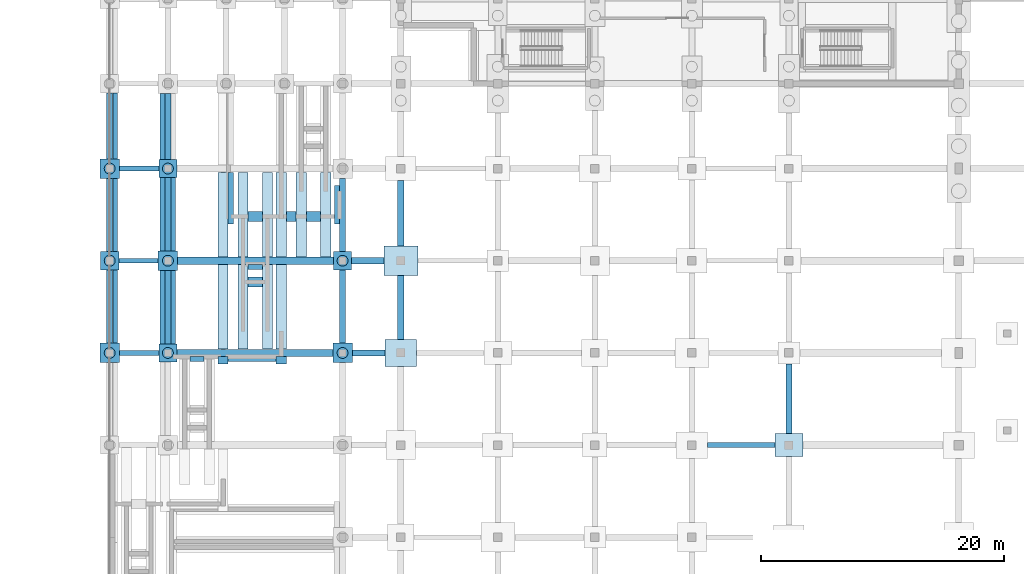
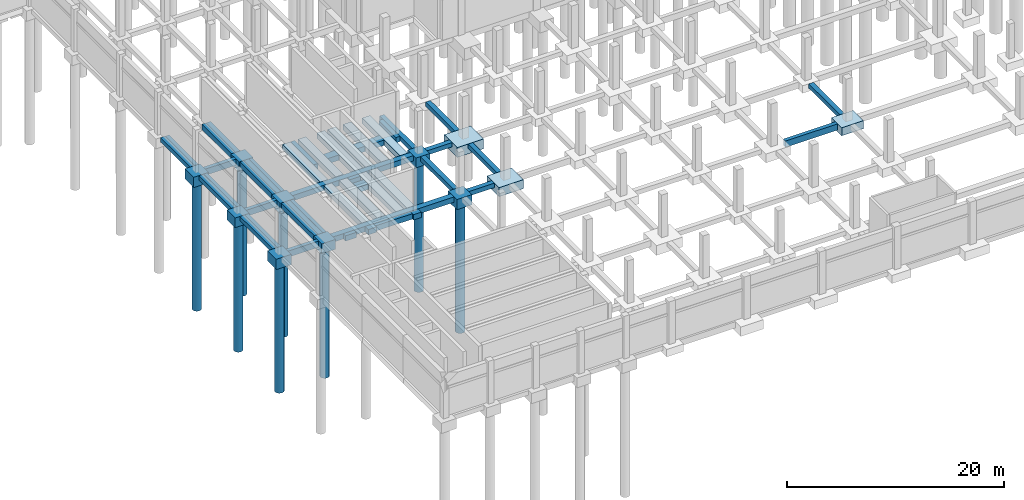
# One storey, part 3 of 50: 59 footings, 8 piles.
"""IFC4 building model written with IfcOpenShell, lengths in metres."""

from ifc_helpers import new_model, si_unit, direction, frame, origin, origin_2d, place, context, subcontext, project, spatial, polyline, rectangle, circle, outline, extrude, material, material_profile, profile_set, type_object, element, save


model = new_model("IFC4")

# Units and contexts
model_context = context("Model", 3, precision=1e-05, world=origin(), true_north=direction((0.0, 1.0)))
body_context = subcontext(model_context, "Body", "Model", "MODEL_VIEW")
ifc_project = project(units=[si_unit("LENGTHUNIT", "METRE"), si_unit("AREAUNIT", "SQUARE_METRE"), si_unit("VOLUMEUNIT", "CUBIC_METRE"), si_unit("PLANEANGLEUNIT", "RADIAN"), si_unit("MASSUNIT", "GRAM", prefix="KILO")], contexts=[model_context])

# Site, building, storey
site_placement = place(None, origin())
site = spatial("IfcSite", under=ifc_project, at=site_placement, CompositionType="ELEMENT")
building_placement = place(site_placement, origin())
building = spatial("IfcBuilding", under=site, at=building_placement, Name="Vekula Escarpment Museum", CompositionType="ELEMENT")
storey_placement = place(building_placement, frame((0.0, 0.0, -4.800048828125)))
storey = spatial("IfcBuildingStorey", under=building, at=storey_placement, Name="B1", CompositionType="ELEMENT", Elevation=-4.800048828125)

# Footings
ifc_material_1 = material(Name="Concrete C35/45", Category="concrete")
footing_type_1 = type_object("IfcFootingType", Name="FB-STRIP-600", PredefinedType="STRIP_FOOTING", material=ifc_material_1)
footing_1_placement = place(storey_placement, frame((0.0, 0.0, -0.599853515625)))
element("IfcFooting", 1, at=footing_1_placement, inside=storey, type_object=footing_type_1, Name="Plinth Wall Strip Footing 0133", PredefinedType="STRIP_FOOTING", context=body_context, shape_type="SweptSolid", body=[
    extrude(outline(polyline([(0.64501953125, 46.404052734375), (0.25390625, 46.404052734375), (0.25390625, 51.845947265625), (0.64501953125, 51.845947265625), (0.64501953125, 46.404052734375)])), origin(), (0.0, 0.0, 1.0), 0.599853515625),
])
footing_2_placement = place(storey_placement, frame((0.0, 0.0, -0.599853515625)))
element("IfcFooting", 2, at=footing_2_placement, inside=storey, type_object=footing_type_1, Name="Plinth Wall Strip Footing 0134", PredefinedType="STRIP_FOOTING", context=body_context, shape_type="SweptSolid", body=[
    extrude(outline(polyline([(0.64501953125, 38.75390625), (0.25390625, 38.75390625), (0.25390625, 44.7958984375), (0.64501953125, 44.7958984375), (0.64501953125, 38.75390625)])), origin(), (0.0, 0.0, 1.0), 0.599853515625),
])
footing_3_placement = place(storey_placement, frame((0.0, 0.0, -0.599853515625)))
element("IfcFooting", 3, at=footing_3_placement, inside=storey, type_object=footing_type_1, Name="Plinth Wall Strip Footing 0135", PredefinedType="STRIP_FOOTING", context=body_context, shape_type="SweptSolid", body=[
    extrude(outline(polyline([(0.64501953125, 31.2041015625), (0.25390625, 31.2041015625), (0.25390625, 37.24609375), (0.64501953125, 37.24609375), (0.64501953125, 31.2041015625)])), origin(), (0.0, 0.0, 1.0), 0.599853515625),
])
footing_4_placement = place(storey_placement, frame((0.0, 0.0, -0.599853515625)))
element("IfcFooting", 4, at=footing_4_placement, inside=storey, type_object=footing_type_1, Name="Plinth Wall Strip Footing 0158", PredefinedType="STRIP_FOOTING", context=body_context, shape_type="SweptSolid", body=[
    extrude(outline(polyline([(11.409912109375, 30.7041015625), (10.570068359375, 30.7041015625), (10.570068359375, 37.696044921875), (11.409912109375, 37.696044921875), (11.409912109375, 30.7041015625)])), origin(), (0.0, 0.0, 1.0), 0.599853515625),
])
footing_5_placement = place(storey_placement, frame((0.0, 0.0, -0.599853515625)))
element("IfcFooting", 5, at=footing_5_placement, inside=storey, type_object=footing_type_1, Name="Plinth Wall Strip Footing 0158", PredefinedType="STRIP_FOOTING", context=body_context, shape_type="SweptSolid", body=[
    extrude(outline(polyline([(11.409912109375, 38.303955078125), (10.570068359375, 38.303955078125), (10.570068359375, 45.2958984375), (11.409912109375, 45.2958984375), (11.409912109375, 38.303955078125)])), origin(), (0.0, 0.0, 1.0), 0.599853515625),
])
footing_6_placement = place(storey_placement, frame((0.0, 0.0, -0.599853515625)))
element("IfcFooting", 6, at=footing_6_placement, inside=storey, type_object=footing_type_1, Name="Plinth Wall Strip Footing 0159", PredefinedType="STRIP_FOOTING", context=body_context, shape_type="SweptSolid", body=[
    extrude(outline(polyline([(13.429931640625, 30.7041015625), (12.590087890625, 30.7041015625), (12.590087890625, 37.696044921875), (13.429931640625, 37.696044921875), (13.429931640625, 30.7041015625)])), origin(), (0.0, 0.0, 1.0), 0.599853515625),
])
footing_7_placement = place(storey_placement, frame((0.0, 0.0, -0.599853515625)))
element("IfcFooting", 7, at=footing_7_placement, inside=storey, type_object=footing_type_1, Name="Plinth Wall Strip Footing 0159", PredefinedType="STRIP_FOOTING", context=body_context, shape_type="SweptSolid", body=[
    extrude(outline(polyline([(13.429931640625, 38.303955078125), (12.590087890625, 38.303955078125), (12.590087890625, 45.2958984375), (13.429931640625, 45.2958984375), (13.429931640625, 38.303955078125)])), origin(), (0.0, 0.0, 1.0), 0.599853515625),
])
footing_8_placement = place(storey_placement, frame((0.0, 0.0, -0.599853515625)))
element("IfcFooting", 8, at=footing_8_placement, inside=storey, type_object=footing_type_1, Name="Plinth Wall Strip Footing 0160", PredefinedType="STRIP_FOOTING", context=body_context, shape_type="SweptSolid", body=[
    extrude(outline(polyline([(11.4140625, 35.830078125), (11.4140625, 36.669921875), (12.5859375, 36.669921875), (12.5859375, 35.830078125), (11.4140625, 35.830078125)])), origin(), (0.0, 0.0, 1.0), 0.599853515625),
])
footing_9_placement = place(storey_placement, frame((0.0, 0.0, -0.599853515625)))
element("IfcFooting", 9, at=footing_9_placement, inside=storey, type_object=footing_type_1, Name="Plinth Wall Strip Footing 0161", PredefinedType="STRIP_FOOTING", context=body_context, shape_type="SweptSolid", body=[
    extrude(outline(polyline([(11.4140625, 37.280029296875), (11.4140625, 37.696044921875), (12.5859375, 37.696044921875), (12.5859375, 37.280029296875), (11.4140625, 37.280029296875)])), origin(), (0.0, 0.0, 1.0), 0.599853515625),
])
footing_10_placement = place(storey_placement, frame((0.0, 0.0, -0.599853515625)))
element("IfcFooting", 10, at=footing_10_placement, inside=storey, type_object=footing_type_1, Name="Plinth Wall Strip Footing 0162", PredefinedType="STRIP_FOOTING", context=body_context, shape_type="SweptSolid", body=[
    extrude(outline(polyline([(16.2099609375, 38.303955078125), (15.3701171875, 38.303955078125), (15.3701171875, 45.2958984375), (16.2099609375, 45.2958984375), (16.2099609375, 38.303955078125)])), origin(), (0.0, 0.0, 1.0), 0.599853515625),
])
footing_11_placement = place(storey_placement, frame((0.0, 0.0, -0.599853515625)))
element("IfcFooting", 11, at=footing_11_placement, inside=storey, type_object=footing_type_1, Name="Plinth Wall Strip Footing 0163", PredefinedType="STRIP_FOOTING", context=body_context, shape_type="SweptSolid", body=[
    extrude(outline(polyline([(18.22998046875, 38.303955078125), (17.389892578125, 38.303955078125), (17.389892578125, 45.2958984375), (18.22998046875, 45.2958984375), (18.22998046875, 38.303955078125)])), origin(), (0.0, 0.0, 1.0), 0.599853515625),
])
footing_12_placement = place(storey_placement, frame((0.0, 0.0, -0.599853515625)))
element("IfcFooting", 12, at=footing_12_placement, inside=storey, type_object=footing_type_1, Name="Plinth Wall Strip Footing 0166", PredefinedType="STRIP_FOOTING", context=body_context, shape_type="SweptSolid", body=[
    extrude(outline(polyline([(4.1298828125, 51.7958984375), (4.5458984375, 51.7958984375), (4.5458984375, 46.35400390625), (4.1298828125, 46.35400390625), (4.1298828125, 51.7958984375)])), origin(), (0.0, 0.0, 1.0), 0.599853515625),
])
footing_13_placement = place(storey_placement, frame((0.0, 0.0, -0.599853515625)))
element("IfcFooting", 13, at=footing_13_placement, inside=storey, type_object=footing_type_1, Name="Plinth Wall Strip Footing 0166", PredefinedType="STRIP_FOOTING", context=body_context, shape_type="SweptSolid", body=[
    extrude(outline(polyline([(4.1298828125, 44.845947265625), (4.5458984375, 44.845947265625), (4.5458984375, 38.803955078125), (4.1298828125, 38.803955078125), (4.1298828125, 44.845947265625)])), origin(), (0.0, 0.0, 1.0), 0.599853515625),
])
footing_14_placement = place(storey_placement, frame((0.0, 0.0, -0.599853515625)))
element("IfcFooting", 14, at=footing_14_placement, inside=storey, type_object=footing_type_1, Name="Plinth Wall Strip Footing 0166", PredefinedType="STRIP_FOOTING", context=body_context, shape_type="SweptSolid", body=[
    extrude(outline(polyline([(4.1298828125, 37.196044921875), (4.5458984375, 37.196044921875), (4.5458984375, 31.154052734375), (4.1298828125, 31.154052734375), (4.1298828125, 37.196044921875)])), origin(), (0.0, 0.0, 1.0), 0.599853515625),
])
footing_15_placement = place(storey_placement, frame((0.0, 0.0, -0.599853515625)))
element("IfcFooting", 15, at=footing_15_placement, inside=storey, type_object=footing_type_1, Name="Plinth Wall Strip Footing 0172", PredefinedType="STRIP_FOOTING", context=body_context, shape_type="SweptSolid", body=[
    extrude(outline(polyline([(5.419921875, 31.154052734375), (5.053955078125, 31.154052734375), (5.053955078125, 37.196044921875), (5.419921875, 37.196044921875), (5.419921875, 31.154052734375)])), origin(), (0.0, 0.0, 1.0), 0.599853515625),
])
footing_16_placement = place(storey_placement, frame((0.0, 0.0, -0.599853515625)))
element("IfcFooting", 16, at=footing_16_placement, inside=storey, type_object=footing_type_1, Name="Plinth Wall Strip Footing 0172", PredefinedType="STRIP_FOOTING", context=body_context, shape_type="SweptSolid", body=[
    extrude(outline(polyline([(5.419921875, 38.803955078125), (5.053955078125, 38.803955078125), (5.053955078125, 44.845947265625), (5.419921875, 44.845947265625), (5.419921875, 38.803955078125)])), origin(), (0.0, 0.0, 1.0), 0.599853515625),
])
footing_17_placement = place(storey_placement, frame((0.0, 0.0, -0.599853515625)))
element("IfcFooting", 17, at=footing_17_placement, inside=storey, type_object=footing_type_1, Name="Plinth Wall Strip Footing 0173", PredefinedType="STRIP_FOOTING", context=body_context, shape_type="SweptSolid", body=[
    extrude(outline(polyline([(9.77001953125, 29.489990234375), (8.929931640625, 29.489990234375), (8.929931640625, 30.095947265625), (9.77001953125, 30.095947265625), (9.77001953125, 29.489990234375)])), origin(), (0.0, 0.0, 1.0), 0.599853515625),
])
footing_18_placement = place(storey_placement, frame((0.0, 0.0, -0.599853515625)))
element("IfcFooting", 18, at=footing_18_placement, inside=storey, type_object=footing_type_1, Name="Plinth Wall Strip Footing 0173", PredefinedType="STRIP_FOOTING", context=body_context, shape_type="SweptSolid", body=[
    extrude(outline(polyline([(9.77001953125, 30.7041015625), (8.929931640625, 30.7041015625), (8.929931640625, 37.696044921875), (9.77001953125, 37.696044921875), (9.77001953125, 30.7041015625)])), origin(), (0.0, 0.0, 1.0), 0.599853515625),
])
footing_19_placement = place(storey_placement, frame((0.0, 0.0, -0.599853515625)))
element("IfcFooting", 19, at=footing_19_placement, inside=storey, type_object=footing_type_1, Name="Plinth Wall Strip Footing 0173", PredefinedType="STRIP_FOOTING", context=body_context, shape_type="SweptSolid", body=[
    extrude(outline(polyline([(9.77001953125, 38.303955078125), (8.929931640625, 38.303955078125), (8.929931640625, 45.2958984375), (9.77001953125, 45.2958984375), (9.77001953125, 38.303955078125)])), origin(), (0.0, 0.0, 1.0), 0.599853515625),
])
footing_20_placement = place(storey_placement, frame((0.0, 0.0, -0.599853515625)))
element("IfcFooting", 20, at=footing_20_placement, inside=storey, type_object=footing_type_1, Name="Plinth Wall Strip Footing 0174", PredefinedType="STRIP_FOOTING", context=body_context, shape_type="SweptSolid", body=[
    extrude(outline(polyline([(14.570068359375, 29.489990234375), (13.72998046875, 29.489990234375), (13.72998046875, 30.095947265625), (14.570068359375, 30.095947265625), (14.570068359375, 29.489990234375)])), origin(), (0.0, 0.0, 1.0), 0.599853515625),
])
footing_21_placement = place(storey_placement, frame((0.0, 0.0, -0.599853515625)))
element("IfcFooting", 21, at=footing_21_placement, inside=storey, type_object=footing_type_1, Name="Plinth Wall Strip Footing 0174", PredefinedType="STRIP_FOOTING", context=body_context, shape_type="SweptSolid", body=[
    extrude(outline(polyline([(14.570068359375, 30.7041015625), (13.72998046875, 30.7041015625), (13.72998046875, 37.696044921875), (14.570068359375, 37.696044921875), (14.570068359375, 30.7041015625)])), origin(), (0.0, 0.0, 1.0), 0.599853515625),
])
footing_22_placement = place(storey_placement, frame((0.0, 0.0, -0.599853515625)))
element("IfcFooting", 22, at=footing_22_placement, inside=storey, type_object=footing_type_1, Name="Plinth Wall Strip Footing 0175", PredefinedType="STRIP_FOOTING", context=body_context, shape_type="SweptSolid", body=[
    extrude(outline(polyline([(6.614013671875, 29.679931640625), (6.614013671875, 30.095947265625), (7.785888671875, 30.095947265625), (7.785888671875, 29.679931640625), (6.614013671875, 29.679931640625)])), origin(), (0.0, 0.0, 1.0), 0.599853515625),
])
footing_23_placement = place(storey_placement, frame((0.0, 0.0, -0.599853515625)))
element("IfcFooting", 23, at=footing_23_placement, inside=storey, type_object=footing_type_1, Name="Plinth Wall Strip Footing 0176", PredefinedType="STRIP_FOOTING", context=body_context, shape_type="SweptSolid", body=[
    extrude(outline(polyline([(9.77392578125, 29.679931640625), (9.77392578125, 30.095947265625), (13.72607421875, 30.095947265625), (13.72607421875, 29.679931640625), (9.77392578125, 29.679931640625)])), origin(), (0.0, 0.0, 1.0), 0.599853515625),
])
footing_24_placement = place(storey_placement, frame((0.0, 0.0, -0.599853515625)))
element("IfcFooting", 24, at=footing_24_placement, inside=storey, type_object=footing_type_1, Name="Plinth Wall Strip Footing 0177", PredefinedType="STRIP_FOOTING", context=body_context, shape_type="SweptSolid", body=[
    extrude(outline(polyline([(10.219970703125, 41.02001953125), (9.77392578125, 41.02001953125), (9.77392578125, 45.2958984375), (10.219970703125, 45.2958984375), (10.219970703125, 41.02001953125)])), origin(), (0.0, 0.0, 1.0), 0.599853515625),
])
footing_25_placement = place(storey_placement, frame((0.0, 0.0, -0.599853515625)))
element("IfcFooting", 25, at=footing_25_placement, inside=storey, type_object=footing_type_1, Name="Plinth Wall Strip Footing 0178", PredefinedType="STRIP_FOOTING", context=body_context, shape_type="SweptSolid", body=[
    extrude(outline(polyline([(14.570068359375, 38.303955078125), (13.72998046875, 38.303955078125), (13.72998046875, 45.2958984375), (14.570068359375, 45.2958984375), (14.570068359375, 38.303955078125)])), origin(), (0.0, 0.0, 1.0), 0.599853515625),
])
footing_26_placement = place(storey_placement, frame((0.0, 0.0, -0.599853515625)))
element("IfcFooting", 26, at=footing_26_placement, inside=storey, type_object=footing_type_1, Name="Plinth Wall Strip Footing 0179", PredefinedType="STRIP_FOOTING", context=body_context, shape_type="SweptSolid", body=[
    extrude(outline(polyline([(18.530029296875, 41.02001953125), (18.530029296875, 44.18994140625), (18.946044921875, 44.18994140625), (18.946044921875, 41.02001953125), (18.530029296875, 41.02001953125)])), origin(), (0.0, 0.0, 1.0), 0.599853515625),
])
footing_27_placement = place(storey_placement, frame((0.0, 0.0, -0.599853515625)))
element("IfcFooting", 27, at=footing_27_placement, inside=storey, type_object=footing_type_1, Name="Plinth Wall Strip Footing 0180", PredefinedType="STRIP_FOOTING", context=body_context, shape_type="SweptSolid", body=[
    extrude(outline(polyline([(11.4140625, 41.22998046875), (11.4140625, 42.070068359375), (12.5859375, 42.070068359375), (12.5859375, 41.22998046875), (11.4140625, 41.22998046875)])), origin(), (0.0, 0.0, 1.0), 0.599853515625),
])
footing_28_placement = place(storey_placement, frame((0.0, 0.0, -0.599853515625)))
element("IfcFooting", 28, at=footing_28_placement, inside=storey, type_object=footing_type_1, Name="Plinth Wall Strip Footing 0181", PredefinedType="STRIP_FOOTING", context=body_context, shape_type="SweptSolid", body=[
    extrude(outline(polyline([(14.573974609375, 41.22998046875), (14.573974609375, 42.070068359375), (15.365966796875, 42.070068359375), (15.365966796875, 41.22998046875), (14.573974609375, 41.22998046875)])), origin(), (0.0, 0.0, 1.0), 0.599853515625),
])
footing_29_placement = place(storey_placement, frame((0.0, 0.0, -0.599853515625)))
element("IfcFooting", 29, at=footing_29_placement, inside=storey, type_object=footing_type_1, Name="Plinth Wall Strip Footing 0181", PredefinedType="STRIP_FOOTING", context=body_context, shape_type="SweptSolid", body=[
    extrude(outline(polyline([(16.214111328125, 41.22998046875), (16.214111328125, 42.070068359375), (17.385986328125, 42.070068359375), (17.385986328125, 41.22998046875), (16.214111328125, 41.22998046875)])), origin(), (0.0, 0.0, 1.0), 0.599853515625),
])
ifc_material_2 = material(Name="Concrete C35/45", Category="concrete")
ifc_material_profile_1 = material_profile(ifc_material_2, rectangle(XDim=0.39990234375, YDim=0.699951171875, at=origin_2d()), Name="RC 400x700")
ifc_profile_set_1 = profile_set([ifc_material_profile_1], Name="Concrete C35/45")
footing_type_2 = type_object("IfcFootingType", Name="FB-TIE-400x700", PredefinedType="FOOTING_BEAM", material=ifc_profile_set_1)
footing_30_placement = place(storey_placement, frame((49.300048828125, 22.800048828125, -0.349853515625), z_axis=(1.0, 0.0, 0.0), x_axis=(0.0, 1.0, 0.0)))
element("IfcFooting", 30, at=footing_30_placement, inside=storey, type_object=footing_type_2, Name="Foundation Tie Beam 069", PredefinedType="FOOTING_BEAM", context=body_context, shape_type="SweptSolid", body=[
    extrude(rectangle(XDim=0.39990234375, YDim=0.699951171875, at=origin_2d()), origin(), (0.0, 0.0, 1.0), 5.550048828125),
])
for number, where, z_axis, x_axis, name in (
    (31, (0.800048828125, 30.39990234375, -0.349853515625), (1.0, 0.0, 0.0), (0.0, 1.0, 0.0), "Foundation Tie Beam 081"),
    (32, (0.75, 38.0, -0.349853515625), (1.0, 0.0, 0.0), (0.0, 1.0, 0.0), "Foundation Tie Beam 099"),
    (33, (0.800048828125, 45.60009765625, -0.349853515625), (1.0, 0.0, 0.0), (0.0, 1.0, 0.0), "Foundation Tie Beam 120"),
):
    element("IfcFooting", number, at=place(storey_placement, frame(where, z_axis=z_axis, x_axis=x_axis)), inside=storey, type_object=footing_type_2, Name=name, PredefinedType="FOOTING_BEAM", context=body_context, shape_type="SweptSolid", body=[
        extrude(rectangle(XDim=0.39990234375, YDim=0.699951171875, at=origin_2d()), origin(), (0.0, 0.0, 1.0), 3.25),
    ])
ifc_material_3 = material(Name="Concrete C35/45", Category="concrete")
ifc_material_profile_2 = material_profile(ifc_material_3, rectangle(XDim=0.5, YDim=0.5, at=origin_2d()), Name="RC 500x500")
ifc_profile_set_2 = profile_set([ifc_material_profile_2], Name="Concrete C35/45")
footing_type_3 = type_object("IfcFootingType", Name="FB-TIE-500x500", PredefinedType="FOOTING_BEAM", material=ifc_profile_set_2)
footing_31_placement = place(storey_placement, frame((20.0, 30.39990234375, -0.25), z_axis=(1.0, 0.0, 0.0), x_axis=(0.0, 1.0, 0.0)))
element("IfcFooting", 34, at=footing_31_placement, inside=storey, type_object=footing_type_3, Name="Foundation Tie Beam 083", PredefinedType="FOOTING_BEAM", context=body_context, shape_type="SweptSolid", body=[
    extrude(rectangle(XDim=0.5, YDim=0.5, at=origin_2d()), origin(), (0.0, 0.0, 1.0), 2.699951171875),
])
footing_32_placement = place(storey_placement, frame((19.949951171875, 38.0, -0.25), z_axis=(1.0, 0.0, 0.0), x_axis=(0.0, 1.0, 0.0)))
element("IfcFooting", 35, at=footing_32_placement, inside=storey, type_object=footing_type_3, Name="Foundation Tie Beam 101", PredefinedType="FOOTING_BEAM", context=body_context, shape_type="SweptSolid", body=[
    extrude(rectangle(XDim=0.5, YDim=0.5, at=origin_2d()), origin(), (0.0, 0.0, 1.0), 2.650146484375),
])
for number, where, z_axis, x_axis, name in (
    (36, (0.0, 31.199951171875, -0.25), (0.0, 1.0, 0.0), (-1.0, 0.0, 0.0), "Foundation Tie Beam 403"),
    (37, (0.0, 38.75, -0.25), (0.0, 1.0, 0.0), (-1.0, 0.0, 0.0), "Foundation Tie Beam 404"),
):
    element("IfcFooting", number, at=place(storey_placement, frame(where, z_axis=z_axis, x_axis=x_axis)), inside=storey, type_object=footing_type_3, Name=name, PredefinedType="FOOTING_BEAM", context=body_context, shape_type="SweptSolid", body=[
        extrude(rectangle(XDim=0.5, YDim=0.5, at=origin_2d()), origin(), (0.0, 0.0, 1.0), 6.050048828125),
    ])
footing_33_placement = place(storey_placement, frame((0.0, 46.39990234375, -0.25), z_axis=(0.0, 1.0, 0.0), x_axis=(-1.0, 0.0, 0.0)))
element("IfcFooting", 38, at=footing_33_placement, inside=storey, type_object=footing_type_3, Name="Foundation Tie Beam 405", PredefinedType="FOOTING_BEAM", context=body_context, shape_type="SweptSolid", body=[
    extrude(rectangle(XDim=0.5, YDim=0.5, at=origin_2d()), origin(), (0.0, 0.0, 1.0), 5.4501953125),
])
for number, where, z_axis, x_axis, name in (
    (39, (4.800048828125, 31.14990234375, -0.25), (0.0, 1.0, 0.0), (-1.0, 0.0, 0.0), "Foundation Tie Beam 415"),
    (40, (4.800048828125, 38.800048828125, -0.25), (0.0, 1.0, 0.0), (-1.0, 0.0, 0.0), "Foundation Tie Beam 416"),
):
    element("IfcFooting", number, at=place(storey_placement, frame(where, z_axis=z_axis, x_axis=x_axis)), inside=storey, type_object=footing_type_3, Name=name, PredefinedType="FOOTING_BEAM", context=body_context, shape_type="SweptSolid", body=[
        extrude(rectangle(XDim=0.5, YDim=0.5, at=origin_2d()), origin(), (0.0, 0.0, 1.0), 6.050048828125),
    ])
footing_34_placement = place(storey_placement, frame((4.800048828125, 46.35009765625, -0.25), z_axis=(0.0, 1.0, 0.0), x_axis=(-1.0, 0.0, 0.0)))
element("IfcFooting", 41, at=footing_34_placement, inside=storey, type_object=footing_type_3, Name="Foundation Tie Beam 417", PredefinedType="FOOTING_BEAM", context=body_context, shape_type="SweptSolid", body=[
    extrude(rectangle(XDim=0.5, YDim=0.5, at=origin_2d()), origin(), (0.0, 0.0, 1.0), 5.449951171875),
])
for number, where, z_axis, x_axis, name in (
    (42, (19.199951171875, 31.199951171875, -0.25), (0.0, 1.0, 0.0), (-1.0, 0.0, 0.0), "Foundation Tie Beam 446"),
    (43, (19.199951171875, 38.75, -0.25), (0.0, 1.0, 0.0), (-1.0, 0.0, 0.0), "Foundation Tie Beam 447"),
):
    element("IfcFooting", number, at=place(storey_placement, frame(where, z_axis=z_axis, x_axis=x_axis)), inside=storey, type_object=footing_type_3, Name=name, PredefinedType="FOOTING_BEAM", context=body_context, shape_type="SweptSolid", body=[
        extrude(rectangle(XDim=0.5, YDim=0.5, at=origin_2d()), origin(), (0.0, 0.0, 1.0), 6.050048828125),
    ])
footing_35_placement = place(storey_placement, frame((24.0, 31.5, -0.25), z_axis=(0.0, 1.0, 0.0), x_axis=(-1.0, 0.0, 0.0)))
element("IfcFooting", 44, at=footing_35_placement, inside=storey, type_object=footing_type_3, Name="Foundation Tie Beam 464", PredefinedType="FOOTING_BEAM", context=body_context, shape_type="SweptSolid", body=[
    extrude(rectangle(XDim=0.5, YDim=0.5, at=origin_2d()), origin(), (0.0, 0.0, 1.0), 5.300048828125),
])
footing_36_placement = place(storey_placement, frame((24.0, 39.199951171875, -0.25), z_axis=(0.0, 1.0, 0.0), x_axis=(-1.0, 0.0, 0.0)))
element("IfcFooting", 45, at=footing_36_placement, inside=storey, type_object=footing_type_3, Name="Foundation Tie Beam 465", PredefinedType="FOOTING_BEAM", context=body_context, shape_type="SweptSolid", body=[
    extrude(rectangle(XDim=0.5, YDim=0.5, at=origin_2d()), origin(), (0.0, 0.0, 1.0), 5.400146484375),
])
footing_37_placement = place(storey_placement, frame((56.0, 23.75, -0.25), z_axis=(0.0, 1.0, 0.0), x_axis=(-1.0, 0.0, 0.0)))
element("IfcFooting", 46, at=footing_37_placement, inside=storey, type_object=footing_type_3, Name="Foundation Tie Beam 535", PredefinedType="FOOTING_BEAM", context=body_context, shape_type="SweptSolid", body=[
    extrude(rectangle(XDim=0.5, YDim=0.5, at=origin_2d()), origin(), (0.0, 0.0, 1.0), 5.75),
])
ifc_material_4 = material(Name="Concrete C35/45", Category="concrete")
ifc_material_profile_3 = material_profile(ifc_material_4, rectangle(XDim=0.60009765625, YDim=0.60009765625, at=origin_2d()), Name="RC 600x600")
ifc_profile_set_3 = profile_set([ifc_material_profile_3], Name="Concrete C35/45")
footing_type_4 = type_object("IfcFootingType", Name="FB-TIE-600x600", PredefinedType="FOOTING_BEAM", material=ifc_profile_set_3)
for number, where, z_axis, x_axis, name in (
    (47, (5.550048828125, 30.39990234375, -0.300048828125), (1.0, 0.0, 0.0), (0.0, 1.0, 0.0), "Foundation Tie Beam 082"),
    (48, (5.60009765625, 38.0, -0.300048828125), (1.0, 0.0, 0.0), (0.0, 1.0, 0.0), "Foundation Tie Beam 100"),
):
    element("IfcFooting", number, at=place(storey_placement, frame(where, z_axis=z_axis, x_axis=x_axis)), inside=storey, type_object=footing_type_4, Name=name, PredefinedType="FOOTING_BEAM", context=body_context, shape_type="SweptSolid", body=[
        extrude(rectangle(XDim=0.60009765625, YDim=0.60009765625, at=origin_2d()), origin(), (0.0, 0.0, 1.0), 12.849853515625),
    ])
ifc_material_5 = material(Name="Concrete C35/45", Category="concrete")
footing_type_5 = type_object("IfcFootingType", Name="FC-PAD5", PredefinedType="PAD_FOOTING", material=ifc_material_5)
footing_38_placement = place(storey_placement, frame((0.0, 0.0, -1.0)))
element("IfcFooting", 49, at=footing_38_placement, inside=storey, type_object=footing_type_5, Name="Foundation FC-PAD5 (24.0,30.4)", PredefinedType="PAD_FOOTING", context=body_context, shape_type="SweptSolid", body=[
    extrude(outline(polyline([(22.699951171875, 29.300048828125), (25.300048828125, 29.300048828125), (25.300048828125, 31.5), (22.699951171875, 31.5), (22.699951171875, 29.300048828125)])), origin(), (0.0, 0.0, 1.0), 1.0),
])
ifc_material_6 = material(Name="Concrete C35/45", Category="concrete")
footing_type_6 = type_object("IfcFootingType", Name="FC-PAD6", PredefinedType="PAD_FOOTING", material=ifc_material_6)
footing_39_placement = place(storey_placement, frame((0.0, 0.0, -1.099853515625)))
element("IfcFooting", 50, at=footing_39_placement, inside=storey, type_object=footing_type_6, Name="Foundation FC-PAD6 (24.0,38.0)", PredefinedType="PAD_FOOTING", context=body_context, shape_type="SweptSolid", body=[
    extrude(outline(polyline([(22.60009765625, 36.800048828125), (25.39990234375, 36.800048828125), (25.39990234375, 39.199951171875), (22.60009765625, 39.199951171875), (22.60009765625, 36.800048828125)])), origin(), (0.0, 0.0, 1.0), 1.099853515625),
])
ifc_material_7 = material(Name="Concrete C35/45", Category="concrete")
footing_type_7 = type_object("IfcFootingType", Name="FC-PAD8", PredefinedType="PAD_FOOTING", material=ifc_material_7)
footing_40_placement = place(storey_placement, frame((0.0, 0.0, -0.89990234375)))
element("IfcFooting", 51, at=footing_40_placement, inside=storey, type_object=footing_type_7, Name="Foundation FC-PAD8 (56.0,22.8)", PredefinedType="PAD_FOOTING", context=body_context, shape_type="SweptSolid", body=[
    extrude(outline(polyline([(54.85009765625, 21.85009765625), (57.14990234375, 21.85009765625), (57.14990234375, 23.75), (54.85009765625, 23.75), (54.85009765625, 21.85009765625)])), origin(), (0.0, 0.0, 1.0), 0.89990234375),
])
ifc_material_8 = material(Name="Concrete C35/45", Category="concrete")
footing_type_8 = type_object("IfcFootingType", Name="FC-PC1A", PredefinedType="PILE_CAP", material=ifc_material_8)
footing_41_placement = place(storey_placement, frame((0.0, 0.0, -1.099853515625)))
element("IfcFooting", 52, at=footing_41_placement, inside=storey, type_object=footing_type_8, Name="Foundation FC-PC1A (0.0,38.0)", PredefinedType="PILE_CAP", context=body_context, shape_type="SweptSolid", body=[
    extrude(outline(polyline([(-0.75, 37.25), (0.75, 37.25), (0.75, 38.75), (-0.75, 38.75), (-0.75, 37.25)])), origin(), (0.0, 0.0, 1.0), 1.099853515625),
])
footing_42_placement = place(storey_placement, frame((0.0, 0.0, -1.099853515625)))
element("IfcFooting", 53, at=footing_42_placement, inside=storey, type_object=footing_type_8, Name="Foundation FC-PC1A (4.8,30.4)", PredefinedType="PILE_CAP", context=body_context, shape_type="SweptSolid", body=[
    extrude(outline(polyline([(4.050048828125, 29.64990234375), (5.550048828125, 29.64990234375), (5.550048828125, 31.14990234375), (4.050048828125, 31.14990234375), (4.050048828125, 29.64990234375)])), origin(), (0.0, 0.0, 1.0), 1.099853515625),
])
footing_43_placement = place(storey_placement, frame((0.0, 0.0, -1.099853515625)))
element("IfcFooting", 54, at=footing_43_placement, inside=storey, type_object=footing_type_8, Name="Foundation FC-PC1A (4.8,45.6)", PredefinedType="PILE_CAP", context=body_context, shape_type="SweptSolid", body=[
    extrude(outline(polyline([(4.050048828125, 44.85009765625), (5.550048828125, 44.85009765625), (5.550048828125, 46.35009765625), (4.050048828125, 46.35009765625), (4.050048828125, 44.85009765625)])), origin(), (0.0, 0.0, 1.0), 1.099853515625),
])
footing_44_placement = place(storey_placement, frame((0.0, 0.0, -1.099853515625)))
element("IfcFooting", 55, at=footing_44_placement, inside=storey, type_object=footing_type_8, Name="Foundation FC-PC1A (19.2,38.0)", PredefinedType="PILE_CAP", context=body_context, shape_type="SweptSolid", body=[
    extrude(outline(polyline([(18.449951171875, 37.25), (19.949951171875, 37.25), (19.949951171875, 38.75), (18.449951171875, 38.75), (18.449951171875, 37.25)])), origin(), (0.0, 0.0, 1.0), 1.099853515625),
])
ifc_material_9 = material(Name="Concrete C35/45", Category="concrete")
footing_type_9 = type_object("IfcFootingType", Name="FC-PC1B", PredefinedType="PILE_CAP", material=ifc_material_9)
footing_45_placement = place(storey_placement, frame((0.0, 0.0, -1.14990234375)))
element("IfcFooting", 56, at=footing_45_placement, inside=storey, type_object=footing_type_9, Name="Foundation FC-PC1B (0.0,30.4)", PredefinedType="PILE_CAP", context=body_context, shape_type="SweptSolid", body=[
    extrude(outline(polyline([(-0.800048828125, 29.60009765625), (0.800048828125, 29.60009765625), (0.800048828125, 31.199951171875), (-0.800048828125, 31.199951171875), (-0.800048828125, 29.60009765625)])), origin(), (0.0, 0.0, 1.0), 1.14990234375),
])
footing_46_placement = place(storey_placement, frame((0.0, 0.0, -1.14990234375)))
element("IfcFooting", 57, at=footing_46_placement, inside=storey, type_object=footing_type_9, Name="Foundation FC-PC1B (0.0,45.6)", PredefinedType="PILE_CAP", context=body_context, shape_type="SweptSolid", body=[
    extrude(outline(polyline([(-0.800048828125, 44.800048828125), (0.800048828125, 44.800048828125), (0.800048828125, 46.39990234375), (-0.800048828125, 46.39990234375), (-0.800048828125, 44.800048828125)])), origin(), (0.0, 0.0, 1.0), 1.14990234375),
])
footing_47_placement = place(storey_placement, frame((0.0, 0.0, -1.14990234375)))
element("IfcFooting", 58, at=footing_47_placement, inside=storey, type_object=footing_type_9, Name="Foundation FC-PC1B (4.8,38.0)", PredefinedType="PILE_CAP", context=body_context, shape_type="SweptSolid", body=[
    extrude(outline(polyline([(4.0, 37.199951171875), (5.60009765625, 37.199951171875), (5.60009765625, 38.800048828125), (4.0, 38.800048828125), (4.0, 37.199951171875)])), origin(), (0.0, 0.0, 1.0), 1.14990234375),
])
footing_48_placement = place(storey_placement, frame((0.0, 0.0, -1.14990234375)))
element("IfcFooting", 59, at=footing_48_placement, inside=storey, type_object=footing_type_9, Name="Foundation FC-PC1B (19.2,30.4)", PredefinedType="PILE_CAP", context=body_context, shape_type="SweptSolid", body=[
    extrude(outline(polyline([(18.39990234375, 29.60009765625), (20.0, 29.60009765625), (20.0, 31.199951171875), (18.39990234375, 31.199951171875), (18.39990234375, 29.60009765625)])), origin(), (0.0, 0.0, 1.0), 1.14990234375),
])

# Piles
ifc_material_10 = material(Name="Concrete C35/45", Category="concrete")
ifc_material_profile_4 = material_profile(ifc_material_10, circle(Radius=0.449951171875, at=origin_2d()), Name="BORED PILE 900")
ifc_profile_set_4 = profile_set([ifc_material_profile_4], Name="Concrete C35/45")
pile_type = type_object("IfcPileType", Name="PILE-B900", PredefinedType="BORED", material=ifc_profile_set_4)
pile_1_placement = place(storey_placement, frame((0.0, 30.39990234375, -1.050048828125), z_axis=(0.0, 0.0, -1.0), x_axis=(1.0, 0.0, 0.0)))
element("IfcPile", 60, at=pile_1_placement, inside=storey, type_object=pile_type, Name="Bored Pile (0.0,30.4)", PredefinedType="BORED", context=body_context, shape_type="SweptSolid", body=[
    extrude(circle(Radius=0.449951171875, at=origin_2d()), origin(), (0.0, 0.0, 1.0), 14.449951171875),
])
pile_2_placement = place(storey_placement, frame((0.0, 38.0, -1.0), z_axis=(0.0, 0.0, -1.0), x_axis=(1.0, 0.0, 0.0)))
element("IfcPile", 61, at=pile_2_placement, inside=storey, type_object=pile_type, Name="Bored Pile (0.0,38.0)", PredefinedType="BORED", context=body_context, shape_type="SweptSolid", body=[
    extrude(circle(Radius=0.449951171875, at=origin_2d()), origin(), (0.0, 0.0, 1.0), 14.5),
])
pile_3_placement = place(storey_placement, frame((0.0, 45.60009765625, -1.050048828125), z_axis=(0.0, 0.0, -1.0), x_axis=(1.0, 0.0, 0.0)))
element("IfcPile", 62, at=pile_3_placement, inside=storey, type_object=pile_type, Name="Bored Pile (0.0,45.6)", PredefinedType="BORED", context=body_context, shape_type="SweptSolid", body=[
    extrude(circle(Radius=0.449951171875, at=origin_2d()), origin(), (0.0, 0.0, 1.0), 14.449951171875),
])
pile_4_placement = place(storey_placement, frame((4.800048828125, 30.39990234375, -1.0), z_axis=(0.0, 0.0, -1.0), x_axis=(1.0, 0.0, 0.0)))
element("IfcPile", 63, at=pile_4_placement, inside=storey, type_object=pile_type, Name="Bored Pile (4.8,30.4)", PredefinedType="BORED", context=body_context, shape_type="SweptSolid", body=[
    extrude(circle(Radius=0.449951171875, at=origin_2d()), origin(), (0.0, 0.0, 1.0), 14.5),
])
pile_5_placement = place(storey_placement, frame((4.800048828125, 38.0, -1.050048828125), z_axis=(0.0, 0.0, -1.0), x_axis=(1.0, 0.0, 0.0)))
element("IfcPile", 64, at=pile_5_placement, inside=storey, type_object=pile_type, Name="Bored Pile (4.8,38.0)", PredefinedType="BORED", context=body_context, shape_type="SweptSolid", body=[
    extrude(circle(Radius=0.449951171875, at=origin_2d()), origin(), (0.0, 0.0, 1.0), 14.449951171875),
])
pile_6_placement = place(storey_placement, frame((4.800048828125, 45.60009765625, -1.0), z_axis=(0.0, 0.0, -1.0), x_axis=(1.0, 0.0, 0.0)))
element("IfcPile", 65, at=pile_6_placement, inside=storey, type_object=pile_type, Name="Bored Pile (4.8,45.6)", PredefinedType="BORED", context=body_context, shape_type="SweptSolid", body=[
    extrude(circle(Radius=0.449951171875, at=origin_2d()), origin(), (0.0, 0.0, 1.0), 14.5),
])
pile_7_placement = place(storey_placement, frame((19.199951171875, 30.39990234375, -1.050048828125), z_axis=(0.0, 0.0, -1.0), x_axis=(1.0, 0.0, 0.0)))
element("IfcPile", 66, at=pile_7_placement, inside=storey, type_object=pile_type, Name="Bored Pile (19.2,30.4)", PredefinedType="BORED", context=body_context, shape_type="SweptSolid", body=[
    extrude(circle(Radius=0.449951171875, at=origin_2d()), origin(), (0.0, 0.0, 1.0), 14.449951171875),
])
pile_8_placement = place(storey_placement, frame((19.199951171875, 38.0, -1.0), z_axis=(0.0, 0.0, -1.0), x_axis=(1.0, 0.0, 0.0)))
element("IfcPile", 67, at=pile_8_placement, inside=storey, type_object=pile_type, Name="Bored Pile (19.2,38.0)", PredefinedType="BORED", context=body_context, shape_type="SweptSolid", body=[
    extrude(circle(Radius=0.449951171875, at=origin_2d()), origin(), (0.0, 0.0, 1.0), 14.5),
])

save(model, "model.ifc")
